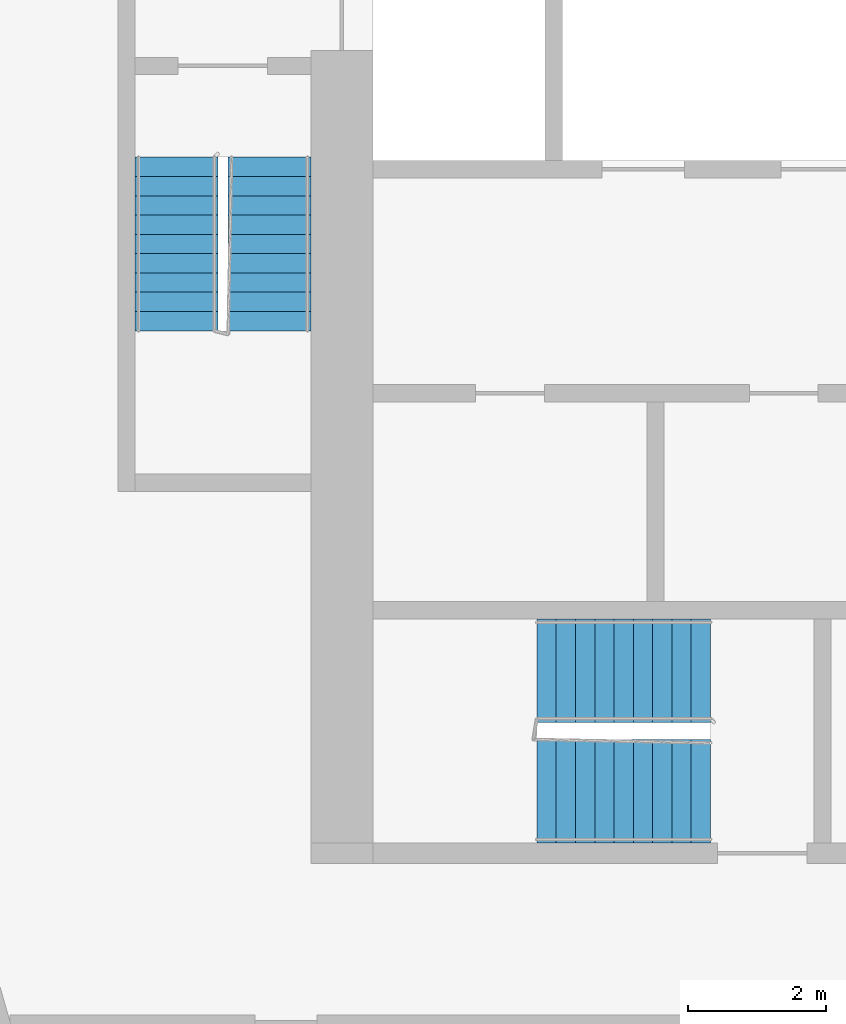
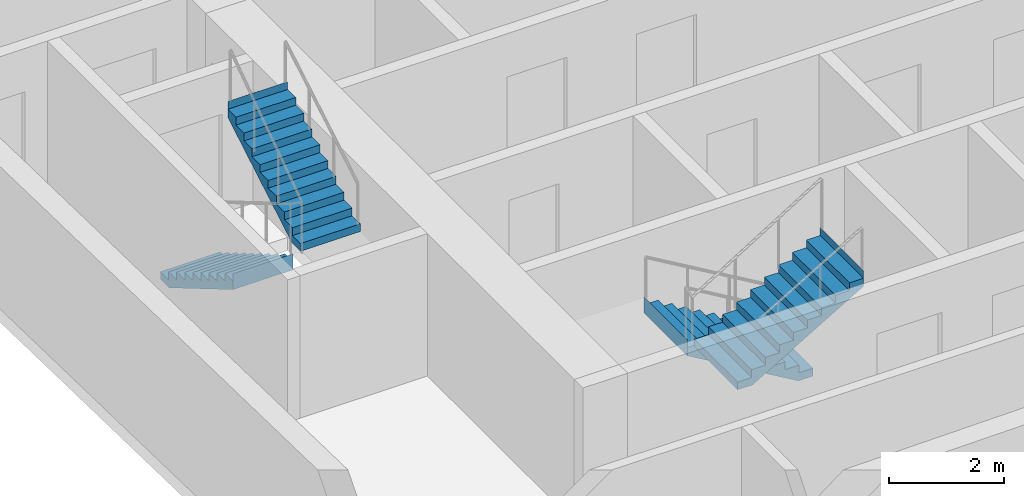
# One storey, part 8 of 11: 4 stair flights, 2 elements without a shape of their own.
"""IFC4 building model written with IfcOpenShell, lengths in metres."""

from ifc_helpers import new_model, si_unit, direction, frame, origin, place, context, subcontext, project, spatial, faceted_brep, material, type_object, element, aggregate, save


model = new_model("IFC4")

# Units and contexts
model_context = context("Model", 3, precision=1e-05, world=origin(), true_north=direction((0.0, 1.0)))
body_context = subcontext(model_context, "Body", "Model", "MODEL_VIEW")
ifc_project = project(units=[si_unit("LENGTHUNIT", "METRE"), si_unit("AREAUNIT", "SQUARE_METRE"), si_unit("VOLUMEUNIT", "CUBIC_METRE"), si_unit("PLANEANGLEUNIT", "RADIAN"), si_unit("MASSUNIT", "GRAM", prefix="KILO")], contexts=[model_context])

# Site, building, storey
site_placement = place(None, origin())
site = spatial("IfcSite", under=ifc_project, at=site_placement, CompositionType="ELEMENT")
building_placement = place(site_placement, origin())
building = spatial("IfcBuilding", under=site, at=building_placement, Name="Kajstack Hotel Tower", CompositionType="ELEMENT")
storey_placement = place(building_placement, frame((0.0, 0.0, 250.699951171875)))
storey = spatial("IfcBuildingStorey", under=building, at=storey_placement, Name="L62", CompositionType="ELEMENT", Elevation=250.699951171875)

# Stair, stair flights
ifc_material = material(Name="Concrete C40/50", Category="concrete")
stair_type_1 = type_object("IfcStairType", Name="Exit stair 1200", PredefinedType="HALF_TURN_STAIR", material=ifc_material)
stair_1_placement = place(storey_placement, origin())
stair_1 = element("IfcStair", 1, at=stair_1_placement, inside=storey, type_object=stair_type_1, Name="L62 stair W1", PredefinedType="HALF_TURN_STAIR")
stair_flight_type_1 = type_object("IfcStairFlightType", Name="Exit stair flight 1200", PredefinedType="STRAIGHT", material=ifc_material)
stair_flight_1_placement = place(storey_placement, frame((-33.449951171875, -5.25, 0.0), z_axis=(0.0, 0.0, 1.0), x_axis=(0.0, -1.0, 0.0)))
stair_flight_1 = element("IfcStairFlight", 2, at=stair_flight_1_placement, type_object=stair_flight_type_1, Name="W1 flight 1", NumberOfRisers=10, NumberOfTreads=9, PredefinedType="STRAIGHT", RiserHeight=0.165, TreadLength=0.28, context=body_context, shape_type="Brep", body=[
    faceted_brep([(0.295654296875, -0.60009765625, 0.0), (2.5205078125, -0.60009765625, 1.31103515625), (2.5205078125, -0.60009765625, 1.64990234375), (2.52001953125, -0.60009765625, 1.64990234375), (2.52001953125, -0.60009765625, 1.485107421875), (2.239990234375, -0.60009765625, 1.485107421875), (2.239990234375, -0.60009765625, 1.320068359375), (1.9599609375, -0.60009765625, 1.320068359375), (1.9599609375, -0.60009765625, 1.155029296875), (1.679931640625, -0.60009765625, 1.155029296875), (1.679931640625, -0.60009765625, 0.989990234375), (1.39990234375, -0.60009765625, 0.989990234375), (1.39990234375, -0.60009765625, 0.824951171875), (1.1201171875, -0.60009765625, 0.824951171875), (1.1201171875, -0.60009765625, 0.659912109375), (0.840087890625, -0.60009765625, 0.659912109375), (0.840087890625, -0.60009765625, 0.4951171875), (0.56005859375, -0.60009765625, 0.4951171875), (0.56005859375, -0.60009765625, 0.330078125), (0.280029296875, -0.60009765625, 0.330078125), (0.280029296875, -0.60009765625, 0.1650390625), (-0.00048828125, -0.60009765625, 0.1650390625), (-0.00048828125, -0.60009765625, 0.0), (-0.00048828125, 0.60009765625, 0.0), (-0.00048828125, 0.60009765625, 0.1650390625), (0.280029296875, 0.60009765625, 0.1650390625), (0.280029296875, 0.60009765625, 0.330078125), (0.56005859375, 0.60009765625, 0.330078125), (0.56005859375, 0.60009765625, 0.4951171875), (0.840087890625, 0.60009765625, 0.4951171875), (0.840087890625, 0.60009765625, 0.659912109375), (1.1201171875, 0.60009765625, 0.659912109375), (1.1201171875, 0.60009765625, 0.824951171875), (1.39990234375, 0.60009765625, 0.824951171875), (1.39990234375, 0.60009765625, 0.989990234375), (1.679931640625, 0.60009765625, 0.989990234375), (1.679931640625, 0.60009765625, 1.155029296875), (1.9599609375, 0.60009765625, 1.155029296875), (1.9599609375, 0.60009765625, 1.320068359375), (2.239990234375, 0.60009765625, 1.320068359375), (2.239990234375, 0.60009765625, 1.485107421875), (2.52001953125, 0.60009765625, 1.485107421875), (2.52001953125, 0.60009765625, 1.64990234375), (2.5205078125, 0.60009765625, 1.64990234375), (2.5205078125, 0.60009765625, 1.31103515625), (0.295654296875, 0.60009765625, 0.0), (-0.00048828125, -0.300048828125, 0.1650390625), (-0.00048828125, 0.0, 0.1650390625), (-0.00048828125, 0.300048828125, 0.1650390625), (-0.00048828125, 0.300048828125, 0.0), (-0.00048828125, 0.0, 0.0), (-0.00048828125, -0.300048828125, 0.0), (0.280029296875, -0.300048828125, 0.1650390625), (0.280029296875, 0.0, 0.1650390625), (0.280029296875, 0.300048828125, 0.1650390625), (0.280029296875, -0.300048828125, 0.330078125), (0.280029296875, 0.0, 0.330078125), (0.280029296875, 0.300048828125, 0.330078125), (0.56005859375, -0.300048828125, 0.330078125), (0.56005859375, 0.0, 0.330078125), (0.56005859375, 0.300048828125, 0.330078125), (0.56005859375, -0.300048828125, 0.4951171875), (0.56005859375, 0.0, 0.4951171875), (0.56005859375, 0.300048828125, 0.4951171875), (0.840087890625, -0.300048828125, 0.4951171875), (0.840087890625, 0.0, 0.4951171875), (0.840087890625, 0.300048828125, 0.4951171875), (0.840087890625, -0.300048828125, 0.659912109375), (0.840087890625, 0.0, 0.659912109375), (0.840087890625, 0.300048828125, 0.659912109375), (1.1201171875, -0.300048828125, 0.659912109375), (1.1201171875, 0.0, 0.659912109375), (1.1201171875, 0.300048828125, 0.659912109375), (1.1201171875, -0.300048828125, 0.824951171875), (1.1201171875, 0.0, 0.824951171875), (1.1201171875, 0.300048828125, 0.824951171875), (1.39990234375, -0.300048828125, 0.824951171875), (1.39990234375, 0.0, 0.824951171875), (1.39990234375, 0.300048828125, 0.824951171875), (1.39990234375, -0.300048828125, 0.989990234375), (1.39990234375, 0.0, 0.989990234375), (1.39990234375, 0.300048828125, 0.989990234375), (1.679931640625, -0.300048828125, 0.989990234375), (1.679931640625, 0.0, 0.989990234375), (1.679931640625, 0.300048828125, 0.989990234375), (1.679931640625, -0.300048828125, 1.155029296875), (1.679931640625, 0.0, 1.155029296875), (1.679931640625, 0.300048828125, 1.155029296875), (1.9599609375, -0.300048828125, 1.155029296875), (1.9599609375, 0.0, 1.155029296875), (1.9599609375, 0.300048828125, 1.155029296875), (1.9599609375, -0.300048828125, 1.320068359375), (1.9599609375, 0.0, 1.320068359375), (1.9599609375, 0.300048828125, 1.320068359375), (2.239990234375, -0.300048828125, 1.320068359375), (2.239990234375, 0.0, 1.320068359375), (2.239990234375, 0.300048828125, 1.320068359375), (2.239990234375, -0.300048828125, 1.485107421875), (2.239990234375, 0.0, 1.485107421875), (2.239990234375, 0.300048828125, 1.485107421875), (2.52001953125, -0.300048828125, 1.485107421875), (2.52001953125, 0.0, 1.485107421875), (2.52001953125, 0.300048828125, 1.485107421875), (2.52001953125, -0.300048828125, 1.64990234375), (2.52001953125, 0.0, 1.64990234375), (2.52001953125, 0.300048828125, 1.64990234375), (2.5205078125, -0.300048828125, 1.64990234375), (2.5205078125, 0.0, 1.64990234375), (2.5205078125, 0.300048828125, 1.64990234375), (2.5205078125, -0.300048828125, 1.31103515625), (2.5205078125, 0.0, 1.31103515625), (2.5205078125, 0.300048828125, 1.31103515625), (0.295654296875, -0.300048828125, 0.0), (0.295654296875, 0.0, 0.0), (0.295654296875, 0.300048828125, 0.0)], [[[0, 1, 2, 3, 4, 5, 6, 7, 8, 9, 10, 11, 12, 13, 14, 15, 16, 17, 18, 19, 20, 21, 22]], [[23, 24, 25, 26, 27, 28, 29, 30, 31, 32, 33, 34, 35, 36, 37, 38, 39, 40, 41, 42, 43, 44, 45]], [[21, 46, 47, 48, 24, 23, 49, 50, 51, 22]], [[20, 52, 53, 54, 25, 24, 48, 47, 46, 21]], [[19, 55, 56, 57, 26, 25, 54, 53, 52, 20]], [[18, 58, 59, 60, 27, 26, 57, 56, 55, 19]], [[17, 61, 62, 63, 28, 27, 60, 59, 58, 18]], [[16, 64, 65, 66, 29, 28, 63, 62, 61, 17]], [[15, 67, 68, 69, 30, 29, 66, 65, 64, 16]], [[14, 70, 71, 72, 31, 30, 69, 68, 67, 15]], [[13, 73, 74, 75, 32, 31, 72, 71, 70, 14]], [[12, 76, 77, 78, 33, 32, 75, 74, 73, 13]], [[11, 79, 80, 81, 34, 33, 78, 77, 76, 12]], [[10, 82, 83, 84, 35, 34, 81, 80, 79, 11]], [[9, 85, 86, 87, 36, 35, 84, 83, 82, 10]], [[8, 88, 89, 90, 37, 36, 87, 86, 85, 9]], [[7, 91, 92, 93, 38, 37, 90, 89, 88, 8]], [[6, 94, 95, 96, 39, 38, 93, 92, 91, 7]], [[5, 97, 98, 99, 40, 39, 96, 95, 94, 6]], [[4, 100, 101, 102, 41, 40, 99, 98, 97, 5]], [[3, 103, 104, 105, 42, 41, 102, 101, 100, 4]], [[2, 106, 107, 108, 43, 42, 105, 104, 103, 3]], [[1, 109, 110, 111, 44, 43, 108, 107, 106, 2]], [[0, 112, 113, 114, 45, 44, 111, 110, 109, 1]], [[22, 51, 50, 49, 23, 45, 114, 113, 112, 0]]]),
])
stair_flight_2_placement = place(storey_placement, frame((-32.10009765625, -7.77001953125, 1.650146484375), z_axis=(0.0, 0.0, 1.0), x_axis=(0.0, 1.0, 0.0)))
stair_flight_2 = element("IfcStairFlight", 3, at=stair_flight_2_placement, type_object=stair_flight_type_1, Name="W1 flight 2", NumberOfRisers=10, NumberOfTreads=9, PredefinedType="STRAIGHT", RiserHeight=0.165, TreadLength=0.28, context=body_context, shape_type="Brep", body=[
    faceted_brep([(0.295654296875, -0.60009765625, 0.0), (2.5205078125, -0.60009765625, 1.31103515625), (2.5205078125, -0.60009765625, 1.64990234375), (2.52001953125, -0.60009765625, 1.64990234375), (2.52001953125, -0.60009765625, 1.485107421875), (2.239990234375, -0.60009765625, 1.485107421875), (2.239990234375, -0.60009765625, 1.320068359375), (1.9599609375, -0.60009765625, 1.320068359375), (1.9599609375, -0.60009765625, 1.155029296875), (1.679931640625, -0.60009765625, 1.155029296875), (1.679931640625, -0.60009765625, 0.989990234375), (1.39990234375, -0.60009765625, 0.989990234375), (1.39990234375, -0.60009765625, 0.824951171875), (1.1201171875, -0.60009765625, 0.824951171875), (1.1201171875, -0.60009765625, 0.659912109375), (0.840087890625, -0.60009765625, 0.659912109375), (0.840087890625, -0.60009765625, 0.4951171875), (0.56005859375, -0.60009765625, 0.4951171875), (0.56005859375, -0.60009765625, 0.330078125), (0.280029296875, -0.60009765625, 0.330078125), (0.280029296875, -0.60009765625, 0.1650390625), (-0.00048828125, -0.60009765625, 0.1650390625), (-0.00048828125, -0.60009765625, 0.0), (-0.00048828125, 0.60009765625, 0.0), (-0.00048828125, 0.60009765625, 0.1650390625), (0.280029296875, 0.60009765625, 0.1650390625), (0.280029296875, 0.60009765625, 0.330078125), (0.56005859375, 0.60009765625, 0.330078125), (0.56005859375, 0.60009765625, 0.4951171875), (0.840087890625, 0.60009765625, 0.4951171875), (0.840087890625, 0.60009765625, 0.659912109375), (1.1201171875, 0.60009765625, 0.659912109375), (1.1201171875, 0.60009765625, 0.824951171875), (1.39990234375, 0.60009765625, 0.824951171875), (1.39990234375, 0.60009765625, 0.989990234375), (1.679931640625, 0.60009765625, 0.989990234375), (1.679931640625, 0.60009765625, 1.155029296875), (1.9599609375, 0.60009765625, 1.155029296875), (1.9599609375, 0.60009765625, 1.320068359375), (2.239990234375, 0.60009765625, 1.320068359375), (2.239990234375, 0.60009765625, 1.485107421875), (2.52001953125, 0.60009765625, 1.485107421875), (2.52001953125, 0.60009765625, 1.64990234375), (2.5205078125, 0.60009765625, 1.64990234375), (2.5205078125, 0.60009765625, 1.31103515625), (0.295654296875, 0.60009765625, 0.0), (-0.00048828125, -0.300048828125, 0.1650390625), (-0.00048828125, 0.0, 0.1650390625), (-0.00048828125, 0.300048828125, 0.1650390625), (-0.00048828125, 0.300048828125, 0.0), (-0.00048828125, 0.0, 0.0), (-0.00048828125, -0.300048828125, 0.0), (0.280029296875, -0.300048828125, 0.1650390625), (0.280029296875, 0.0, 0.1650390625), (0.280029296875, 0.300048828125, 0.1650390625), (0.280029296875, -0.300048828125, 0.330078125), (0.280029296875, 0.0, 0.330078125), (0.280029296875, 0.300048828125, 0.330078125), (0.56005859375, -0.300048828125, 0.330078125), (0.56005859375, 0.0, 0.330078125), (0.56005859375, 0.300048828125, 0.330078125), (0.56005859375, -0.300048828125, 0.4951171875), (0.56005859375, 0.0, 0.4951171875), (0.56005859375, 0.300048828125, 0.4951171875), (0.840087890625, -0.300048828125, 0.4951171875), (0.840087890625, 0.0, 0.4951171875), (0.840087890625, 0.300048828125, 0.4951171875), (0.840087890625, -0.300048828125, 0.659912109375), (0.840087890625, 0.0, 0.659912109375), (0.840087890625, 0.300048828125, 0.659912109375), (1.1201171875, -0.300048828125, 0.659912109375), (1.1201171875, 0.0, 0.659912109375), (1.1201171875, 0.300048828125, 0.659912109375), (1.1201171875, -0.300048828125, 0.824951171875), (1.1201171875, 0.0, 0.824951171875), (1.1201171875, 0.300048828125, 0.824951171875), (1.39990234375, -0.300048828125, 0.824951171875), (1.39990234375, 0.0, 0.824951171875), (1.39990234375, 0.300048828125, 0.824951171875), (1.39990234375, -0.300048828125, 0.989990234375), (1.39990234375, 0.0, 0.989990234375), (1.39990234375, 0.300048828125, 0.989990234375), (1.679931640625, -0.300048828125, 0.989990234375), (1.679931640625, 0.0, 0.989990234375), (1.679931640625, 0.300048828125, 0.989990234375), (1.679931640625, -0.300048828125, 1.155029296875), (1.679931640625, 0.0, 1.155029296875), (1.679931640625, 0.300048828125, 1.155029296875), (1.9599609375, -0.300048828125, 1.155029296875), (1.9599609375, 0.0, 1.155029296875), (1.9599609375, 0.300048828125, 1.155029296875), (1.9599609375, -0.300048828125, 1.320068359375), (1.9599609375, 0.0, 1.320068359375), (1.9599609375, 0.300048828125, 1.320068359375), (2.239990234375, -0.300048828125, 1.320068359375), (2.239990234375, 0.0, 1.320068359375), (2.239990234375, 0.300048828125, 1.320068359375), (2.239990234375, -0.300048828125, 1.485107421875), (2.239990234375, 0.0, 1.485107421875), (2.239990234375, 0.300048828125, 1.485107421875), (2.52001953125, -0.300048828125, 1.485107421875), (2.52001953125, 0.0, 1.485107421875), (2.52001953125, 0.300048828125, 1.485107421875), (2.52001953125, -0.300048828125, 1.64990234375), (2.52001953125, 0.0, 1.64990234375), (2.52001953125, 0.300048828125, 1.64990234375), (2.5205078125, -0.300048828125, 1.64990234375), (2.5205078125, 0.0, 1.64990234375), (2.5205078125, 0.300048828125, 1.64990234375), (2.5205078125, -0.300048828125, 1.31103515625), (2.5205078125, 0.0, 1.31103515625), (2.5205078125, 0.300048828125, 1.31103515625), (0.295654296875, -0.300048828125, 0.0), (0.295654296875, 0.0, 0.0), (0.295654296875, 0.300048828125, 0.0)], [[[0, 1, 2, 3, 4, 5, 6, 7, 8, 9, 10, 11, 12, 13, 14, 15, 16, 17, 18, 19, 20, 21, 22]], [[23, 24, 25, 26, 27, 28, 29, 30, 31, 32, 33, 34, 35, 36, 37, 38, 39, 40, 41, 42, 43, 44, 45]], [[21, 46, 47, 48, 24, 23, 49, 50, 51, 22]], [[20, 52, 53, 54, 25, 24, 48, 47, 46, 21]], [[19, 55, 56, 57, 26, 25, 54, 53, 52, 20]], [[18, 58, 59, 60, 27, 26, 57, 56, 55, 19]], [[17, 61, 62, 63, 28, 27, 60, 59, 58, 18]], [[16, 64, 65, 66, 29, 28, 63, 62, 61, 17]], [[15, 67, 68, 69, 30, 29, 66, 65, 64, 16]], [[14, 70, 71, 72, 31, 30, 69, 68, 67, 15]], [[13, 73, 74, 75, 32, 31, 72, 71, 70, 14]], [[12, 76, 77, 78, 33, 32, 75, 74, 73, 13]], [[11, 79, 80, 81, 34, 33, 78, 77, 76, 12]], [[10, 82, 83, 84, 35, 34, 81, 80, 79, 11]], [[9, 85, 86, 87, 36, 35, 84, 83, 82, 10]], [[8, 88, 89, 90, 37, 36, 87, 86, 85, 9]], [[7, 91, 92, 93, 38, 37, 90, 89, 88, 8]], [[6, 94, 95, 96, 39, 38, 93, 92, 91, 7]], [[5, 97, 98, 99, 40, 39, 96, 95, 94, 6]], [[4, 100, 101, 102, 41, 40, 99, 98, 97, 5]], [[3, 103, 104, 105, 42, 41, 102, 101, 100, 4]], [[2, 106, 107, 108, 43, 42, 105, 104, 103, 3]], [[1, 109, 110, 111, 44, 43, 108, 107, 106, 2]], [[0, 112, 113, 114, 45, 44, 111, 110, 109, 1]], [[22, 51, 50, 49, 23, 45, 114, 113, 112, 0]]]),
])
aggregate(stair_1, [stair_flight_1, stair_flight_2])

stair_type_2 = type_object("IfcStairType", Name="Exit stair 1500", PredefinedType="HALF_TURN_STAIR", material=ifc_material)
stair_2_placement = place(storey_placement, origin())
stair_2 = element("IfcStair", 4, at=stair_2_placement, inside=storey, type_object=stair_type_2, Name="L62 stair W3", PredefinedType="HALF_TURN_STAIR")
stair_flight_type_2 = type_object("IfcStairFlightType", Name="Exit stair flight 1500", PredefinedType="STRAIGHT", material=ifc_material)
stair_flight_3_placement = place(storey_placement, frame((-25.699951171875, -12.699951171875, 0.0), z_axis=(0.0, 0.0, 1.0), x_axis=(-1.0, 0.0, 0.0)))
stair_flight_3 = element("IfcStairFlight", 5, at=stair_flight_3_placement, type_object=stair_flight_type_2, Name="W3 flight 1", NumberOfRisers=10, NumberOfTreads=9, PredefinedType="STRAIGHT", RiserHeight=0.165, TreadLength=0.28, context=body_context, shape_type="Brep", body=[
    faceted_brep([(0.295654296875, -0.75, 0.0), (2.5205078125, -0.75, 1.31103515625), (2.5205078125, -0.75, 1.64990234375), (2.52001953125, -0.75, 1.64990234375), (2.52001953125, -0.75, 1.485107421875), (2.239990234375, -0.75, 1.485107421875), (2.239990234375, -0.75, 1.320068359375), (1.9599609375, -0.75, 1.320068359375), (1.9599609375, -0.75, 1.155029296875), (1.679931640625, -0.75, 1.155029296875), (1.679931640625, -0.75, 0.989990234375), (1.39990234375, -0.75, 0.989990234375), (1.39990234375, -0.75, 0.824951171875), (1.1201171875, -0.75, 0.824951171875), (1.1201171875, -0.75, 0.659912109375), (0.840087890625, -0.75, 0.659912109375), (0.840087890625, -0.75, 0.4951171875), (0.56005859375, -0.75, 0.4951171875), (0.56005859375, -0.75, 0.330078125), (0.280029296875, -0.75, 0.330078125), (0.280029296875, -0.75, 0.1650390625), (-0.00048828125, -0.75, 0.1650390625), (-0.00048828125, -0.75, 0.0), (-0.00048828125, 0.75, 0.0), (-0.00048828125, 0.75, 0.1650390625), (0.280029296875, 0.75, 0.1650390625), (0.280029296875, 0.75, 0.330078125), (0.56005859375, 0.75, 0.330078125), (0.56005859375, 0.75, 0.4951171875), (0.840087890625, 0.75, 0.4951171875), (0.840087890625, 0.75, 0.659912109375), (1.1201171875, 0.75, 0.659912109375), (1.1201171875, 0.75, 0.824951171875), (1.39990234375, 0.75, 0.824951171875), (1.39990234375, 0.75, 0.989990234375), (1.679931640625, 0.75, 0.989990234375), (1.679931640625, 0.75, 1.155029296875), (1.9599609375, 0.75, 1.155029296875), (1.9599609375, 0.75, 1.320068359375), (2.239990234375, 0.75, 1.320068359375), (2.239990234375, 0.75, 1.485107421875), (2.52001953125, 0.75, 1.485107421875), (2.52001953125, 0.75, 1.64990234375), (2.5205078125, 0.75, 1.64990234375), (2.5205078125, 0.75, 1.31103515625), (0.295654296875, 0.75, 0.0), (-0.00048828125, -0.375, 0.1650390625), (-0.00048828125, 0.0, 0.1650390625), (-0.00048828125, 0.375, 0.1650390625), (-0.00048828125, 0.375, 0.0), (-0.00048828125, 0.0, 0.0), (-0.00048828125, -0.375, 0.0), (0.280029296875, -0.375, 0.1650390625), (0.280029296875, 0.0, 0.1650390625), (0.280029296875, 0.375, 0.1650390625), (0.280029296875, -0.375, 0.330078125), (0.280029296875, 0.0, 0.330078125), (0.280029296875, 0.375, 0.330078125), (0.56005859375, -0.375, 0.330078125), (0.56005859375, 0.0, 0.330078125), (0.56005859375, 0.375, 0.330078125), (0.56005859375, -0.375, 0.4951171875), (0.56005859375, 0.0, 0.4951171875), (0.56005859375, 0.375, 0.4951171875), (0.840087890625, -0.375, 0.4951171875), (0.840087890625, 0.0, 0.4951171875), (0.840087890625, 0.375, 0.4951171875), (0.840087890625, -0.375, 0.659912109375), (0.840087890625, 0.0, 0.659912109375), (0.840087890625, 0.375, 0.659912109375), (1.1201171875, -0.375, 0.659912109375), (1.1201171875, 0.0, 0.659912109375), (1.1201171875, 0.375, 0.659912109375), (1.1201171875, -0.375, 0.824951171875), (1.1201171875, 0.0, 0.824951171875), (1.1201171875, 0.375, 0.824951171875), (1.39990234375, -0.375, 0.824951171875), (1.39990234375, 0.0, 0.824951171875), (1.39990234375, 0.375, 0.824951171875), (1.39990234375, -0.375, 0.989990234375), (1.39990234375, 0.0, 0.989990234375), (1.39990234375, 0.375, 0.989990234375), (1.679931640625, -0.375, 0.989990234375), (1.679931640625, 0.0, 0.989990234375), (1.679931640625, 0.375, 0.989990234375), (1.679931640625, -0.375, 1.155029296875), (1.679931640625, 0.0, 1.155029296875), (1.679931640625, 0.375, 1.155029296875), (1.9599609375, -0.375, 1.155029296875), (1.9599609375, 0.0, 1.155029296875), (1.9599609375, 0.375, 1.155029296875), (1.9599609375, -0.375, 1.320068359375), (1.9599609375, 0.0, 1.320068359375), (1.9599609375, 0.375, 1.320068359375), (2.239990234375, -0.375, 1.320068359375), (2.239990234375, 0.0, 1.320068359375), (2.239990234375, 0.375, 1.320068359375), (2.239990234375, -0.375, 1.485107421875), (2.239990234375, 0.0, 1.485107421875), (2.239990234375, 0.375, 1.485107421875), (2.52001953125, -0.375, 1.485107421875), (2.52001953125, 0.0, 1.485107421875), (2.52001953125, 0.375, 1.485107421875), (2.52001953125, -0.375, 1.64990234375), (2.52001953125, 0.0, 1.64990234375), (2.52001953125, 0.375, 1.64990234375), (2.5205078125, -0.375, 1.64990234375), (2.5205078125, 0.0, 1.64990234375), (2.5205078125, 0.375, 1.64990234375), (2.5205078125, -0.375, 1.31103515625), (2.5205078125, 0.0, 1.31103515625), (2.5205078125, 0.375, 1.31103515625), (0.295654296875, -0.375, 0.0), (0.295654296875, 0.0, 0.0), (0.295654296875, 0.375, 0.0)], [[[0, 1, 2, 3, 4, 5, 6, 7, 8, 9, 10, 11, 12, 13, 14, 15, 16, 17, 18, 19, 20, 21, 22]], [[23, 24, 25, 26, 27, 28, 29, 30, 31, 32, 33, 34, 35, 36, 37, 38, 39, 40, 41, 42, 43, 44, 45]], [[21, 46, 47, 48, 24, 23, 49, 50, 51, 22]], [[20, 52, 53, 54, 25, 24, 48, 47, 46, 21]], [[19, 55, 56, 57, 26, 25, 54, 53, 52, 20]], [[18, 58, 59, 60, 27, 26, 57, 56, 55, 19]], [[17, 61, 62, 63, 28, 27, 60, 59, 58, 18]], [[16, 64, 65, 66, 29, 28, 63, 62, 61, 17]], [[15, 67, 68, 69, 30, 29, 66, 65, 64, 16]], [[14, 70, 71, 72, 31, 30, 69, 68, 67, 15]], [[13, 73, 74, 75, 32, 31, 72, 71, 70, 14]], [[12, 76, 77, 78, 33, 32, 75, 74, 73, 13]], [[11, 79, 80, 81, 34, 33, 78, 77, 76, 12]], [[10, 82, 83, 84, 35, 34, 81, 80, 79, 11]], [[9, 85, 86, 87, 36, 35, 84, 83, 82, 10]], [[8, 88, 89, 90, 37, 36, 87, 86, 85, 9]], [[7, 91, 92, 93, 38, 37, 90, 89, 88, 8]], [[6, 94, 95, 96, 39, 38, 93, 92, 91, 7]], [[5, 97, 98, 99, 40, 39, 96, 95, 94, 6]], [[4, 100, 101, 102, 41, 40, 99, 98, 97, 5]], [[3, 103, 104, 105, 42, 41, 102, 101, 100, 4]], [[2, 106, 107, 108, 43, 42, 105, 104, 103, 3]], [[1, 109, 110, 111, 44, 43, 108, 107, 106, 2]], [[0, 112, 113, 114, 45, 44, 111, 110, 109, 1]], [[22, 51, 50, 49, 23, 45, 114, 113, 112, 0]]]),
])
stair_flight_4_placement = place(storey_placement, frame((-28.219970703125, -14.449951171875, 1.650146484375), z_axis=(0.0, 0.0, 1.0), x_axis=(1.0, 0.0, 0.0)))
stair_flight_4 = element("IfcStairFlight", 6, at=stair_flight_4_placement, type_object=stair_flight_type_2, Name="W3 flight 2", NumberOfRisers=10, NumberOfTreads=9, PredefinedType="STRAIGHT", RiserHeight=0.165, TreadLength=0.28, context=body_context, shape_type="Brep", body=[
    faceted_brep([(0.295654296875, -0.75, 0.0), (2.5205078125, -0.75, 1.31103515625), (2.5205078125, -0.75, 1.64990234375), (2.52001953125, -0.75, 1.64990234375), (2.52001953125, -0.75, 1.485107421875), (2.239990234375, -0.75, 1.485107421875), (2.239990234375, -0.75, 1.320068359375), (1.9599609375, -0.75, 1.320068359375), (1.9599609375, -0.75, 1.155029296875), (1.679931640625, -0.75, 1.155029296875), (1.679931640625, -0.75, 0.989990234375), (1.39990234375, -0.75, 0.989990234375), (1.39990234375, -0.75, 0.824951171875), (1.1201171875, -0.75, 0.824951171875), (1.1201171875, -0.75, 0.659912109375), (0.840087890625, -0.75, 0.659912109375), (0.840087890625, -0.75, 0.4951171875), (0.56005859375, -0.75, 0.4951171875), (0.56005859375, -0.75, 0.330078125), (0.280029296875, -0.75, 0.330078125), (0.280029296875, -0.75, 0.1650390625), (-0.00048828125, -0.75, 0.1650390625), (-0.00048828125, -0.75, 0.0), (-0.00048828125, 0.75, 0.0), (-0.00048828125, 0.75, 0.1650390625), (0.280029296875, 0.75, 0.1650390625), (0.280029296875, 0.75, 0.330078125), (0.56005859375, 0.75, 0.330078125), (0.56005859375, 0.75, 0.4951171875), (0.840087890625, 0.75, 0.4951171875), (0.840087890625, 0.75, 0.659912109375), (1.1201171875, 0.75, 0.659912109375), (1.1201171875, 0.75, 0.824951171875), (1.39990234375, 0.75, 0.824951171875), (1.39990234375, 0.75, 0.989990234375), (1.679931640625, 0.75, 0.989990234375), (1.679931640625, 0.75, 1.155029296875), (1.9599609375, 0.75, 1.155029296875), (1.9599609375, 0.75, 1.320068359375), (2.239990234375, 0.75, 1.320068359375), (2.239990234375, 0.75, 1.485107421875), (2.52001953125, 0.75, 1.485107421875), (2.52001953125, 0.75, 1.64990234375), (2.5205078125, 0.75, 1.64990234375), (2.5205078125, 0.75, 1.31103515625), (0.295654296875, 0.75, 0.0), (-0.00048828125, -0.375, 0.1650390625), (-0.00048828125, 0.0, 0.1650390625), (-0.00048828125, 0.375, 0.1650390625), (-0.00048828125, 0.375, 0.0), (-0.00048828125, 0.0, 0.0), (-0.00048828125, -0.375, 0.0), (0.280029296875, -0.375, 0.1650390625), (0.280029296875, 0.0, 0.1650390625), (0.280029296875, 0.375, 0.1650390625), (0.280029296875, -0.375, 0.330078125), (0.280029296875, 0.0, 0.330078125), (0.280029296875, 0.375, 0.330078125), (0.56005859375, -0.375, 0.330078125), (0.56005859375, 0.0, 0.330078125), (0.56005859375, 0.375, 0.330078125), (0.56005859375, -0.375, 0.4951171875), (0.56005859375, 0.0, 0.4951171875), (0.56005859375, 0.375, 0.4951171875), (0.840087890625, -0.375, 0.4951171875), (0.840087890625, 0.0, 0.4951171875), (0.840087890625, 0.375, 0.4951171875), (0.840087890625, -0.375, 0.659912109375), (0.840087890625, 0.0, 0.659912109375), (0.840087890625, 0.375, 0.659912109375), (1.1201171875, -0.375, 0.659912109375), (1.1201171875, 0.0, 0.659912109375), (1.1201171875, 0.375, 0.659912109375), (1.1201171875, -0.375, 0.824951171875), (1.1201171875, 0.0, 0.824951171875), (1.1201171875, 0.375, 0.824951171875), (1.39990234375, -0.375, 0.824951171875), (1.39990234375, 0.0, 0.824951171875), (1.39990234375, 0.375, 0.824951171875), (1.39990234375, -0.375, 0.989990234375), (1.39990234375, 0.0, 0.989990234375), (1.39990234375, 0.375, 0.989990234375), (1.679931640625, -0.375, 0.989990234375), (1.679931640625, 0.0, 0.989990234375), (1.679931640625, 0.375, 0.989990234375), (1.679931640625, -0.375, 1.155029296875), (1.679931640625, 0.0, 1.155029296875), (1.679931640625, 0.375, 1.155029296875), (1.9599609375, -0.375, 1.155029296875), (1.9599609375, 0.0, 1.155029296875), (1.9599609375, 0.375, 1.155029296875), (1.9599609375, -0.375, 1.320068359375), (1.9599609375, 0.0, 1.320068359375), (1.9599609375, 0.375, 1.320068359375), (2.239990234375, -0.375, 1.320068359375), (2.239990234375, 0.0, 1.320068359375), (2.239990234375, 0.375, 1.320068359375), (2.239990234375, -0.375, 1.485107421875), (2.239990234375, 0.0, 1.485107421875), (2.239990234375, 0.375, 1.485107421875), (2.52001953125, -0.375, 1.485107421875), (2.52001953125, 0.0, 1.485107421875), (2.52001953125, 0.375, 1.485107421875), (2.52001953125, -0.375, 1.64990234375), (2.52001953125, 0.0, 1.64990234375), (2.52001953125, 0.375, 1.64990234375), (2.5205078125, -0.375, 1.64990234375), (2.5205078125, 0.0, 1.64990234375), (2.5205078125, 0.375, 1.64990234375), (2.5205078125, -0.375, 1.31103515625), (2.5205078125, 0.0, 1.31103515625), (2.5205078125, 0.375, 1.31103515625), (0.295654296875, -0.375, 0.0), (0.295654296875, 0.0, 0.0), (0.295654296875, 0.375, 0.0)], [[[0, 1, 2, 3, 4, 5, 6, 7, 8, 9, 10, 11, 12, 13, 14, 15, 16, 17, 18, 19, 20, 21, 22]], [[23, 24, 25, 26, 27, 28, 29, 30, 31, 32, 33, 34, 35, 36, 37, 38, 39, 40, 41, 42, 43, 44, 45]], [[21, 46, 47, 48, 24, 23, 49, 50, 51, 22]], [[20, 52, 53, 54, 25, 24, 48, 47, 46, 21]], [[19, 55, 56, 57, 26, 25, 54, 53, 52, 20]], [[18, 58, 59, 60, 27, 26, 57, 56, 55, 19]], [[17, 61, 62, 63, 28, 27, 60, 59, 58, 18]], [[16, 64, 65, 66, 29, 28, 63, 62, 61, 17]], [[15, 67, 68, 69, 30, 29, 66, 65, 64, 16]], [[14, 70, 71, 72, 31, 30, 69, 68, 67, 15]], [[13, 73, 74, 75, 32, 31, 72, 71, 70, 14]], [[12, 76, 77, 78, 33, 32, 75, 74, 73, 13]], [[11, 79, 80, 81, 34, 33, 78, 77, 76, 12]], [[10, 82, 83, 84, 35, 34, 81, 80, 79, 11]], [[9, 85, 86, 87, 36, 35, 84, 83, 82, 10]], [[8, 88, 89, 90, 37, 36, 87, 86, 85, 9]], [[7, 91, 92, 93, 38, 37, 90, 89, 88, 8]], [[6, 94, 95, 96, 39, 38, 93, 92, 91, 7]], [[5, 97, 98, 99, 40, 39, 96, 95, 94, 6]], [[4, 100, 101, 102, 41, 40, 99, 98, 97, 5]], [[3, 103, 104, 105, 42, 41, 102, 101, 100, 4]], [[2, 106, 107, 108, 43, 42, 105, 104, 103, 3]], [[1, 109, 110, 111, 44, 43, 108, 107, 106, 2]], [[0, 112, 113, 114, 45, 44, 111, 110, 109, 1]], [[22, 51, 50, 49, 23, 45, 114, 113, 112, 0]]]),
])
aggregate(stair_2, [stair_flight_3, stair_flight_4])

save(model, "model.ifc")
